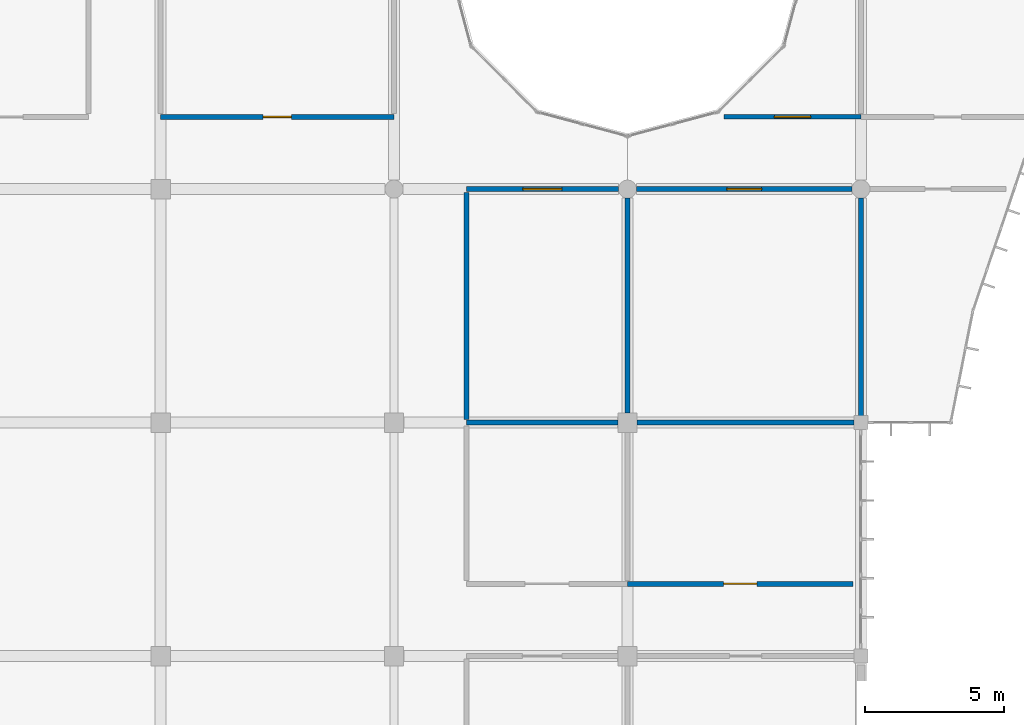
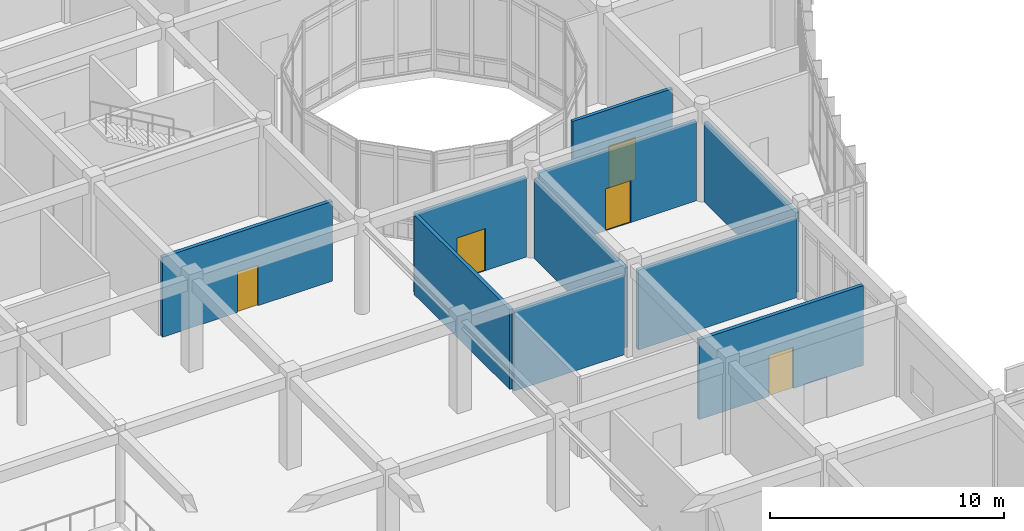
# One storey, part 95 of 134: 10 walls, 5 doors, 5 openings.
"""IFC4 building model written with IfcOpenShell, lengths in metres."""

import ifcopenshell
import ifcopenshell.guid

model = None  # the IFC model being written
_history = None  # IfcOwnerHistory: only IFC2X3 demands one
_inside = {}  # id of a spatial element -> (the spatial element, [elements in it])
_under = {}  # id of a project, library or spatial element -> (it, [spatial elements below it])
_declared = {}  # id of a project -> (the project, [libraries it declares])
_typed = {}  # id of a type object -> (the type object, [elements of that type])
_made_of = {}  # id of a material, layer set ... -> (it, [elements and type objects made of it])


def new_model(schema):
    """Start an empty IFC model of exactly this schema.

    Asked for "IFC4X3", IfcOpenShell would pick the latest addendum, in which some entities
    have other attributes; the version numbers below select the first issue.
    IFC2X3 requires an IfcOwnerHistory on every rooted entity: one is made here for all.
    """
    global model, _history
    if schema == "IFC4X3":
        model = ifcopenshell.file(schema_version=(4, 3, 0, 0))
    else:
        model = ifcopenshell.file(schema=schema)
    _inside.clear()
    _under.clear()
    _declared.clear()
    _typed.clear()
    _made_of.clear()
    _history = None
    if model.schema == "IFC2X3":
        org = make("IfcOrganization", Name="unknown")
        user = make(
            "IfcPersonAndOrganization",
            ThePerson=make("IfcPerson", FamilyName="unknown"),
            TheOrganization=org,
        )
        app = make(
            "IfcApplication",
            ApplicationDeveloper=org,
            Version="unknown",
            ApplicationFullName="unknown",
            ApplicationIdentifier="unknown",
        )
        _history = make(
            "IfcOwnerHistory",
            OwningUser=user,
            OwningApplication=app,
            ChangeAction="ADDED",
            CreationDate=0,
        )
    return model


def make(cls, **values):
    """One entity of the class cls with the attributes given. An attribute that is None is left unset."""
    return model.create_entity(
        cls, **{name: value for name, value in values.items() if value is not None}
    )


def rooted(cls, **values):
    """An entity with a GlobalId (a new one), such as an element, a storey or a relation."""
    return make(cls, GlobalId=ifcopenshell.guid.new(), OwnerHistory=_history, **values)


def si_unit(unit_type, name, prefix=None):
    """IfcSIUnit, for example si_unit("LENGTHUNIT", "METRE", prefix="MILLI")."""
    return make("IfcSIUnit", UnitType=unit_type, Prefix=prefix, Name=name)


def assignment(units):
    """IfcUnitAssignment: the units of a project."""
    return None if units is None else make("IfcUnitAssignment", Units=units)


def point(xyz):
    """IfcCartesianPoint."""
    return None if xyz is None else make("IfcCartesianPoint", Coordinates=xyz)


def direction(xyz):
    """IfcDirection."""
    return None if xyz is None else make("IfcDirection", DirectionRatios=xyz)


def frame(location, z_axis=None, x_axis=None):
    """IfcAxis2Placement3D, a coordinate frame: its origin and axes. An axis left out is left unset."""
    return make(
        "IfcAxis2Placement3D",
        Location=point(location),
        Axis=direction(z_axis),
        RefDirection=direction(x_axis),
    )


def frame_2d(location, x_axis=None):
    """IfcAxis2Placement2D, a coordinate frame in the plane: its origin and x axis."""
    return make(
        "IfcAxis2Placement2D", Location=point(location), RefDirection=direction(x_axis)
    )


def origin():
    """The frame at (0, 0, 0) with its axes left unset."""
    return frame((0.0, 0.0, 0.0))


def place(relative_to, where):
    """IfcLocalPlacement: puts the frame where relative to a parent placement (None: the world)."""
    return make(
        "IfcLocalPlacement", PlacementRelTo=relative_to, RelativePlacement=where
    )


def context(
    kind, dimensions, precision=None, world=None, true_north=None, identifier=None
):
    """IfcGeometricRepresentationContext, for example the 3D "Model" context."""
    return make(
        "IfcGeometricRepresentationContext",
        ContextIdentifier=identifier,
        ContextType=kind,
        CoordinateSpaceDimension=dimensions,
        Precision=precision,
        WorldCoordinateSystem=world,
        TrueNorth=true_north,
    )


def subcontext(parent, identifier, kind, view, scale=None):
    """IfcGeometricRepresentationSubContext, for example "Body" below "Model"."""
    return make(
        "IfcGeometricRepresentationSubContext",
        ContextIdentifier=identifier,
        ContextType=kind,
        ParentContext=parent,
        TargetScale=scale,
        TargetView=view,
    )


def project(units=None, contexts=None):
    """IfcProject with its units and contexts."""
    return rooted(
        "IfcProject",
        Name="project",
        RepresentationContexts=contexts,
        UnitsInContext=assignment(units),
    )


def spatial(cls, under=None, at=None, **own):
    """A site, building, storey or space (cls), placed at a placement, below another one or the project."""
    s = rooted(cls, ObjectPlacement=at, **own)
    if under is not None:
        _under.setdefault(under.id(), (under, []))[1].append(s)
    return s


def profile(cls, at=None, kind="AREA", **sizes):
    """A parametric profile (cls). Its sizes go by their IFC names, for example OverallWidth=200.0."""
    return make(cls, ProfileType=kind, Position=at, **sizes)


def rectangle(**sizes):
    """IfcRectangleProfileDef."""
    return profile("IfcRectangleProfileDef", **sizes)


def extrude(swept, where, along, depth):
    """IfcExtrudedAreaSolid: the profile swept, set in the frame where, extruded along a direction by depth."""
    return make(
        "IfcExtrudedAreaSolid",
        SweptArea=swept,
        Position=where,
        ExtrudedDirection=direction(along),
        Depth=depth,
    )


def shape(context_of_items, identifier, shape_type, items):
    """IfcShapeRepresentation: the items that make up one representation, for example the "Body"."""
    return make(
        "IfcShapeRepresentation",
        ContextOfItems=context_of_items,
        RepresentationIdentifier=identifier,
        RepresentationType=shape_type,
        Items=items,
    )


def material(Name=None, Category=None):
    """IfcMaterial."""
    return make("IfcMaterial", Name=Name, Category=Category)


def layer(
    of_material, thickness, ventilated=None, Name=None, Category=None, Priority=None
):
    """IfcMaterialLayer: one layer of a wall or slab, of a material (None: an air gap)."""
    return make(
        "IfcMaterialLayer",
        Material=of_material,
        LayerThickness=thickness,
        IsVentilated=ventilated,
        Name=Name,
        Category=Category,
        Priority=Priority,
    )


def layer_set(layers, Name=None):
    """IfcMaterialLayerSet."""
    return make("IfcMaterialLayerSet", MaterialLayers=layers, LayerSetName=Name)


def made_of(thing, what):
    """Note that an element or type object is made of a material, layer set ...; save() writes the relation."""
    if what is not None:
        _made_of.setdefault(what.id(), (what, []))[1].append(thing)
    return thing


def type_object(cls, material=None, **own):
    """A type object (cls), such as IfcWallType, which elements share."""
    return made_of(rooted(cls, **own), material)


def element(
    cls,
    number,
    at=None,
    inside=None,
    cuts=None,
    type_object=None,
    material=None,
    context=None,
    identifier="Body",
    shape_type=None,
    held_by="IfcProductDefinitionShape",
    body=None,
    shapes=None,
    **own,
):
    """One element of the class cls, such as IfcWall. Its Tag is "e" and its number.

    at: its placement. inside: the storey or other place that contains it. cuts: it is an
    opening in that element (IfcRelVoidsElement). A single representation is given by context,
    identifier, shape_type and body (its items); several are given by shapes. held_by: the class
    of the entity that holds the representations. save() writes the other relations.
    """
    e = rooted(cls, Tag="e%d" % number, ObjectPlacement=at, **own)
    if body is not None:
        shapes = [shape(context, identifier, shape_type, body)]
    if shapes is not None:
        e.Representation = make(held_by, Representations=shapes)
    if inside is not None:
        _inside.setdefault(inside.id(), (inside, []))[1].append(e)
    if cuts is not None:
        rooted(
            "IfcRelVoidsElement", RelatingBuildingElement=cuts, RelatedOpeningElement=e
        )
    if type_object is not None:
        _typed.setdefault(type_object.id(), (type_object, []))[1].append(e)
    return made_of(e, material)


def fill(opening, filler):
    """IfcRelFillsElement: the door or window that sits in an opening."""
    return rooted(
        "IfcRelFillsElement",
        RelatingOpeningElement=opening,
        RelatedBuildingElement=filler,
    )


def aggregate(whole, parts):
    """IfcRelAggregates: a whole, such as a stair, and the parts it consists of."""
    return rooted("IfcRelAggregates", RelatingObject=whole, RelatedObjects=parts)


def save(model, path):
    """Write the relations noted so far, then the file.

    IfcRelAggregates (storeys below a building ...), IfcRelContainedInSpatialStructure (elements
    in a storey), IfcRelDefinesByType, IfcRelAssociatesMaterial and IfcRelDeclares: one each for
    every whole, place, type object, material and project.
    """
    for whole, parts in _under.values():
        aggregate(whole, parts)
    for where, things in _inside.values():
        rooted(
            "IfcRelContainedInSpatialStructure",
            RelatedElements=things,
            RelatingStructure=where,
        )
    for kind, things in _typed.values():
        rooted("IfcRelDefinesByType", RelatedObjects=things, RelatingType=kind)
    for what, things in _made_of.values():
        rooted("IfcRelAssociatesMaterial", RelatedObjects=things, RelatingMaterial=what)
    for by, libraries in _declared.values():
        rooted("IfcRelDeclares", RelatingContext=by, RelatedDefinitions=libraries)
    model.write(path)


model = new_model("IFC4")

# Units and contexts
model_context = context("Model", 3, precision=1e-05, world=origin(), true_north=direction((0.0, 1.0)))
body_context = subcontext(model_context, "Body", "Model", "MODEL_VIEW")
ifc_project = project(units=[si_unit("LENGTHUNIT", "METRE"), si_unit("AREAUNIT", "SQUARE_METRE"), si_unit("VOLUMEUNIT", "CUBIC_METRE"), si_unit("PLANEANGLEUNIT", "RADIAN"), si_unit("MASSUNIT", "GRAM", prefix="KILO")], contexts=[model_context])

# Site, building, storey
site_placement = place(None, origin())
site = spatial("IfcSite", under=ifc_project, at=site_placement, CompositionType="ELEMENT")
building_placement = place(site_placement, origin())
building = spatial("IfcBuilding", under=site, at=building_placement, Name="Bramfleet General Hospital", CompositionType="ELEMENT")
storey_placement = place(building_placement, frame((0.0, 0.0, 9.300048828125)))
storey = spatial("IfcBuildingStorey", under=building, at=storey_placement, Name="L02", CompositionType="ELEMENT", Elevation=9.300048828125)

# Wall, opening, door
ifc_material_1 = material(Name="Concrete C35/45", Category="concrete")
ifc_layer_1 = layer(ifc_material_1, 0.179931640625, Name="WT-IW-04")
ifc_layer_set_1 = layer_set([ifc_layer_1], Name="Concrete C35/45")
wall_type_1 = type_object("IfcWallType", Name="WT-IW-04", PredefinedType="PARTITIONING", material=ifc_layer_set_1)
wall_1_placement = place(storey_placement, frame((117.60009765625, 44.60009765625, 0.0), z_axis=(0.0, 0.0, 1.0), x_axis=(1.0, 0.0, 0.0)))
wall_1 = element("IfcWall", 1, at=wall_1_placement, inside=storey, type_object=wall_type_1, Name="L02 Interior Partition IW-L02-1972", PredefinedType="PARTITIONING", context=body_context, shape_type="SweptSolid", body=[
    extrude(rectangle(XDim=8.119873046875, YDim=0.179931640625, at=frame_2d((4.06005859375, 0.0))), origin(), (0.0, 0.0, 1.0), 4.169921875),
])
opening_1_placement = place(wall_1_placement, frame((3.4599609375, 0.0, 0.0)))
opening_1 = element("IfcOpeningElement", 2, at=opening_1_placement, cuts=wall_1, Name="Opening D0973", PredefinedType="OPENING", context=body_context, shape_type="SweptSolid", body=[
    extrude(rectangle(XDim=1.199951171875, YDim=2.14990234375, at=frame_2d((0.60009765625, 1.074951171875))), frame((0.0, 0.099853515625, 0.0), z_axis=(0.0, -1.0, 0.0), x_axis=(1.0, 0.0, 0.0)), (0.0, 0.0, 1.0), 0.199951171875),
])
ifc_material_2 = material(Name="Stainless steel and acoustic timber leaf", Category="steel")
door_type_1 = type_object("IfcDoorType", Name="DR-D-13", OperationType="NOTDEFINED", PredefinedType="DOOR", material=ifc_material_2)
door_1_placement = place(opening_1_placement, origin())
door_1 = element("IfcDoor", 3, at=door_1_placement, inside=storey, type_object=door_type_1, Name="Interventional Cardiology Cath Lab L02-1405 Door D0973", OperationType="SINGLE_SWING_RIGHT", OverallHeight=2.14990234375, OverallWidth=1.199951171875, PredefinedType="DOOR", context=body_context, shape_type="SweptSolid", body=[
    extrude(rectangle(XDim=1.199951171875, YDim=2.14990234375, at=frame_2d((0.60009765625, 1.074951171875))), frame((0.0, 0.02490234375, 0.0), z_axis=(0.0, -1.0, 0.0), x_axis=(1.0, 0.0, 0.0)), (0.0, 0.0, 1.0), 0.050048828125),
])
fill(opening_1, door_1)

# Walls
wall_2_placement = place(storey_placement, frame((111.800048828125, 50.39990234375, 0.0), z_axis=(0.0, 0.0, 1.0), x_axis=(1.0, 0.0, 0.0)))
element("IfcWall", 4, at=wall_2_placement, inside=storey, type_object=wall_type_1, Name="L02 Interior Partition IW-L02-1973", PredefinedType="PARTITIONING", context=body_context, shape_type="SweptSolid", body=[
    extrude(rectangle(XDim=5.454833984375, YDim=0.179931640625, at=frame_2d((2.7275390625, 0.0))), origin(), (0.0, 0.0, 1.0), 4.169921875),
])
wall_3_placement = place(storey_placement, frame((117.945068359375, 50.39990234375, 0.0), z_axis=(0.0, 0.0, 1.0), x_axis=(1.0, 0.0, 0.0)))
element("IfcWall", 5, at=wall_3_placement, inside=storey, type_object=wall_type_1, Name="L02 Interior Partition IW-L02-1974", PredefinedType="PARTITIONING", context=body_context, shape_type="SweptSolid", body=[
    extrude(rectangle(XDim=7.809814453125, YDim=0.179931640625, at=frame_2d((3.90478515625, 0.0))), origin(), (0.0, 0.0, 1.0), 4.169921875),
])

# Wall, opening, door
wall_4_placement = place(storey_placement, frame((111.800048828125, 58.800048828125, 0.0), z_axis=(0.0, 0.0, 1.0), x_axis=(1.0, 0.0, 0.0)))
wall_4 = element("IfcWall", 6, at=wall_4_placement, inside=storey, type_object=wall_type_1, Name="L02 Interior Partition IW-L02-1982", PredefinedType="PARTITIONING", context=body_context, shape_type="SweptSolid", body=[
    extrude(rectangle(XDim=5.47998046875, YDim=0.179931640625, at=frame_2d((2.739990234375, 0.0))), origin(), (0.0, 0.0, 1.0), 4.169921875),
])
opening_2_placement = place(wall_4_placement, frame((2.0400390625, 0.0, 0.0)))
opening_2 = element("IfcOpeningElement", 7, at=opening_2_placement, cuts=wall_4, Name="Opening D0961", PredefinedType="OPENING", context=body_context, shape_type="SweptSolid", body=[
    extrude(rectangle(XDim=1.39990234375, YDim=2.199951171875, at=frame_2d((0.699951171875, 1.10009765625))), frame((0.0, 0.099853515625, 0.0), z_axis=(0.0, -1.0, 0.0), x_axis=(1.0, 0.0, 0.0)), (0.0, 0.0, 1.0), 0.199951171875),
])
door_type_2 = type_object("IfcDoorType", Name="DR-D-01", OperationType="NOTDEFINED", PredefinedType="DOOR", material=ifc_material_2)
door_2_placement = place(opening_2_placement, origin())
door_2 = element("IfcDoor", 8, at=door_2_placement, inside=storey, type_object=door_type_2, Name="Interventional Cardiology Cath Lab L02-1306 Door D0961", OperationType="SINGLE_SWING_RIGHT", OverallHeight=2.199951171875, OverallWidth=1.39990234375, PredefinedType="DOOR", context=body_context, shape_type="SweptSolid", body=[
    extrude(rectangle(XDim=1.39990234375, YDim=2.199951171875, at=frame_2d((0.699951171875, 1.10009765625))), frame((0.0, 0.02490234375, 0.0), z_axis=(0.0, -1.0, 0.0), x_axis=(1.0, 0.0, 0.0)), (0.0, 0.0, 1.0), 0.050048828125),
])
fill(opening_2, door_2)

wall_5_placement = place(storey_placement, frame((117.919921875, 58.800048828125, 0.0), z_axis=(0.0, 0.0, 1.0), x_axis=(1.0, 0.0, 0.0)))
wall_5 = element("IfcWall", 9, at=wall_5_placement, inside=storey, type_object=wall_type_1, Name="L02 Interior Partition IW-L02-1983", PredefinedType="PARTITIONING", context=body_context, shape_type="SweptSolid", body=[
    extrude(rectangle(XDim=7.760009765625, YDim=0.179931640625, at=frame_2d((3.8798828125, 0.0))), origin(), (0.0, 0.0, 1.0), 4.169921875),
])
opening_3_placement = place(wall_5_placement, frame((3.2548828125, 0.0, 0.0)))
opening_3 = element("IfcOpeningElement", 10, at=opening_3_placement, cuts=wall_5, Name="Opening D0974", PredefinedType="OPENING", context=body_context, shape_type="SweptSolid", body=[
    extrude(rectangle(XDim=1.25, YDim=2.199951171875, at=frame_2d((0.625, 1.10009765625))), frame((0.0, 0.099853515625, 0.0), z_axis=(0.0, -1.0, 0.0), x_axis=(1.0, 0.0, 0.0)), (0.0, 0.0, 1.0), 0.199951171875),
])
door_type_3 = type_object("IfcDoorType", Name="DR-D-14", OperationType="NOTDEFINED", PredefinedType="DOOR", material=ifc_material_2)
door_3_placement = place(opening_3_placement, origin())
door_3 = element("IfcDoor", 11, at=door_3_placement, inside=storey, type_object=door_type_3, Name="Interventional Cardiology Cath Lab L02-1406 Door D0974", OperationType="SINGLE_SWING_LEFT", OverallHeight=2.199951171875, OverallWidth=1.25, PredefinedType="DOOR", context=body_context, shape_type="SweptSolid", body=[
    extrude(rectangle(XDim=1.25, YDim=2.199951171875, at=frame_2d((0.625, 1.10009765625))), frame((0.0, 0.02490234375, 0.0), z_axis=(0.0, -1.0, 0.0), x_axis=(1.0, 0.0, 0.0)), (0.0, 0.0, 1.0), 0.050048828125),
])
fill(opening_3, door_3)

wall_6_placement = place(storey_placement, frame((100.800048828125, 61.39990234375, 0.0), z_axis=(0.0, 0.0, 1.0), x_axis=(1.0, 0.0, 0.0)))
wall_6 = element("IfcWall", 12, at=wall_6_placement, inside=storey, type_object=wall_type_1, Name="L02 Interior Partition IW-L02-1997", PredefinedType="PARTITIONING", context=body_context, shape_type="SweptSolid", body=[
    extrude(rectangle(XDim=8.39990234375, YDim=0.179931640625, at=frame_2d((4.199951171875, 0.0))), origin(), (0.0, 0.0, 1.0), 4.169921875),
])
opening_4_placement = place(wall_6_placement, frame((3.68994140625, 0.0, 0.0)))
opening_4 = element("IfcOpeningElement", 13, at=opening_4_placement, cuts=wall_6, Name="Opening D0949", PredefinedType="OPENING", context=body_context, shape_type="SweptSolid", body=[
    extrude(rectangle(XDim=1.02001953125, YDim=2.1201171875, at=frame_2d((0.510009765625, 1.06005859375))), frame((0.0, 0.099853515625, 0.0), z_axis=(0.0, -1.0, 0.0), x_axis=(1.0, 0.0, 0.0)), (0.0, 0.0, 1.0), 0.199951171875),
])
door_type_4 = type_object("IfcDoorType", Name="DR-D-21", OperationType="NOTDEFINED", PredefinedType="DOOR", material=ifc_material_2)
door_4_placement = place(opening_4_placement, origin())
door_4 = element("IfcDoor", 14, at=door_4_placement, inside=storey, type_object=door_type_4, Name="Interventional Cardiology Cath Lab L02-1207 Door D0949", OperationType="SINGLE_SWING_RIGHT", OverallHeight=2.1201171875, OverallWidth=1.02001953125, PredefinedType="DOOR", context=body_context, shape_type="SweptSolid", body=[
    extrude(rectangle(XDim=1.02001953125, YDim=2.1201171875, at=frame_2d((0.510009765625, 1.06005859375))), frame((0.0, 0.02490234375, 0.0), z_axis=(0.0, -1.0, 0.0), x_axis=(1.0, 0.0, 0.0)), (0.0, 0.0, 1.0), 0.050048828125),
])
fill(opening_4, door_4)

# Walls
wall_7_placement = place(storey_placement, frame((111.800048828125, 50.514892578125, 0.0), z_axis=(0.0, 0.0, 1.0), x_axis=(0.0, 1.0, 0.0)))
element("IfcWall", 15, at=wall_7_placement, inside=storey, type_object=wall_type_1, Name="L02 Interior Partition IW-L02-2372", PredefinedType="PARTITIONING", context=body_context, shape_type="SweptSolid", body=[
    extrude(rectangle(XDim=8.170166015625, YDim=0.179931640625, at=frame_2d((4.0849609375, 0.0))), origin(), (0.0, 0.0, 1.0), 4.169921875),
])
wall_8_placement = place(storey_placement, frame((117.60009765625, 50.7451171875, 0.0), z_axis=(0.0, 0.0, 1.0), x_axis=(0.0, 1.0, 0.0)))
element("IfcWall", 16, at=wall_8_placement, inside=storey, type_object=wall_type_1, Name="L02 Interior Partition IW-L02-2389", PredefinedType="PARTITIONING", context=body_context, shape_type="SweptSolid", body=[
    extrude(rectangle(XDim=7.73486328125, YDim=0.179931640625, at=frame_2d((3.867431640625, 0.0))), origin(), (0.0, 0.0, 1.0), 4.169921875),
])
wall_9_placement = place(storey_placement, frame((126.0, 50.64501953125, 0.0), z_axis=(0.0, 0.0, 1.0), x_axis=(0.0, 1.0, 0.0)))
element("IfcWall", 17, at=wall_9_placement, inside=storey, type_object=wall_type_1, Name="L02 Interior Partition IW-L02-2403", PredefinedType="PARTITIONING", context=body_context, shape_type="SweptSolid", body=[
    extrude(rectangle(XDim=7.8349609375, YDim=0.179931640625, at=frame_2d((3.91748046875, 0.0))), origin(), (0.0, 0.0, 1.0), 4.169921875),
])

# Wall, opening, door
ifc_material_3 = material(Name="Gypsum plasterboard on acoustic steel studs", Category="steel")
ifc_layer_2 = layer(ifc_material_3, 0.159912109375, Name="WT-IW-06")
ifc_layer_set_2 = layer_set([ifc_layer_2], Name="Gypsum plasterboard on acoustic steel studs")
wall_type_2 = type_object("IfcWallType", Name="WT-IW-06", PredefinedType="PARTITIONING", material=ifc_layer_set_2)
wall_10_placement = place(storey_placement, frame((121.074951171875, 61.39990234375, 0.0), z_axis=(0.0, 0.0, 1.0), x_axis=(1.0, 0.0, 0.0)))
wall_10 = element("IfcWall", 18, at=wall_10_placement, inside=storey, type_object=wall_type_2, Name="L02 Interior Partition IW-L02-1998", PredefinedType="PARTITIONING", context=body_context, shape_type="SweptSolid", body=[
    extrude(rectangle(XDim=4.925048828125, YDim=0.159912109375, at=frame_2d((2.46240234375, 0.0))), origin(), (0.0, 0.0, 1.0), 4.169921875),
])
opening_5_placement = place(wall_10_placement, frame((1.8125, 0.0, 0.0)))
opening_5 = element("IfcOpeningElement", 19, at=opening_5_placement, cuts=wall_10, Name="Opening D0975", PredefinedType="OPENING", context=body_context, shape_type="SweptSolid", body=[
    extrude(rectangle(XDim=1.300048828125, YDim=2.199951171875, at=frame_2d((0.64990234375, 1.10009765625))), frame((0.0, 0.08984375, 0.0), z_axis=(0.0, -1.0, 0.0), x_axis=(1.0, 0.0, 0.0)), (0.0, 0.0, 1.0), 0.179931640625),
])
door_type_5 = type_object("IfcDoorType", Name="DR-D-15", OperationType="NOTDEFINED", PredefinedType="DOOR", material=ifc_material_2)
door_5_placement = place(opening_5_placement, origin())
door_5 = element("IfcDoor", 20, at=door_5_placement, inside=storey, type_object=door_type_5, Name="Courtyard Waiting Lounge L02-1407 Door D0975", OperationType="SINGLE_SWING_RIGHT", OverallHeight=2.199951171875, OverallWidth=1.300048828125, PredefinedType="DOOR", context=body_context, shape_type="SweptSolid", body=[
    extrude(rectangle(XDim=1.300048828125, YDim=2.199951171875, at=frame_2d((0.64990234375, 1.10009765625))), frame((0.0, 0.02490234375, 0.0), z_axis=(0.0, -1.0, 0.0), x_axis=(1.0, 0.0, 0.0)), (0.0, 0.0, 1.0), 0.050048828125),
])
fill(opening_5, door_5)

save(model, "model.ifc")
